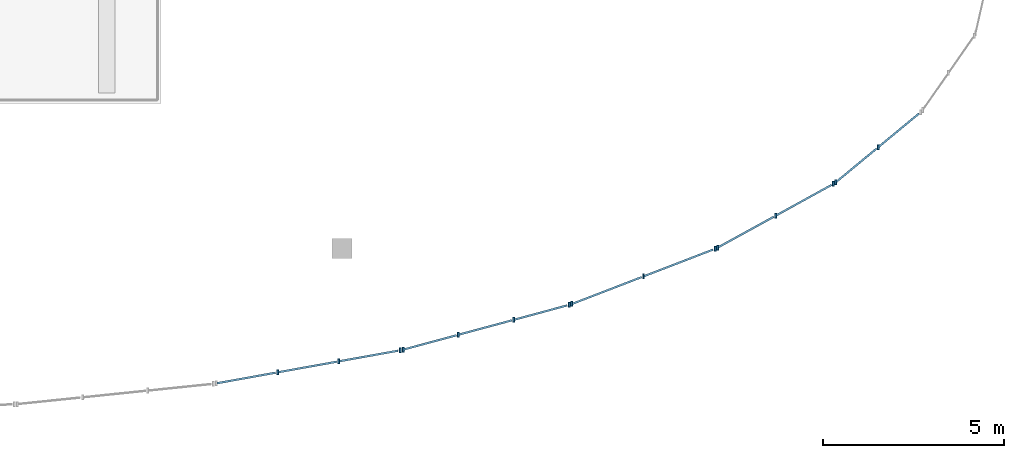
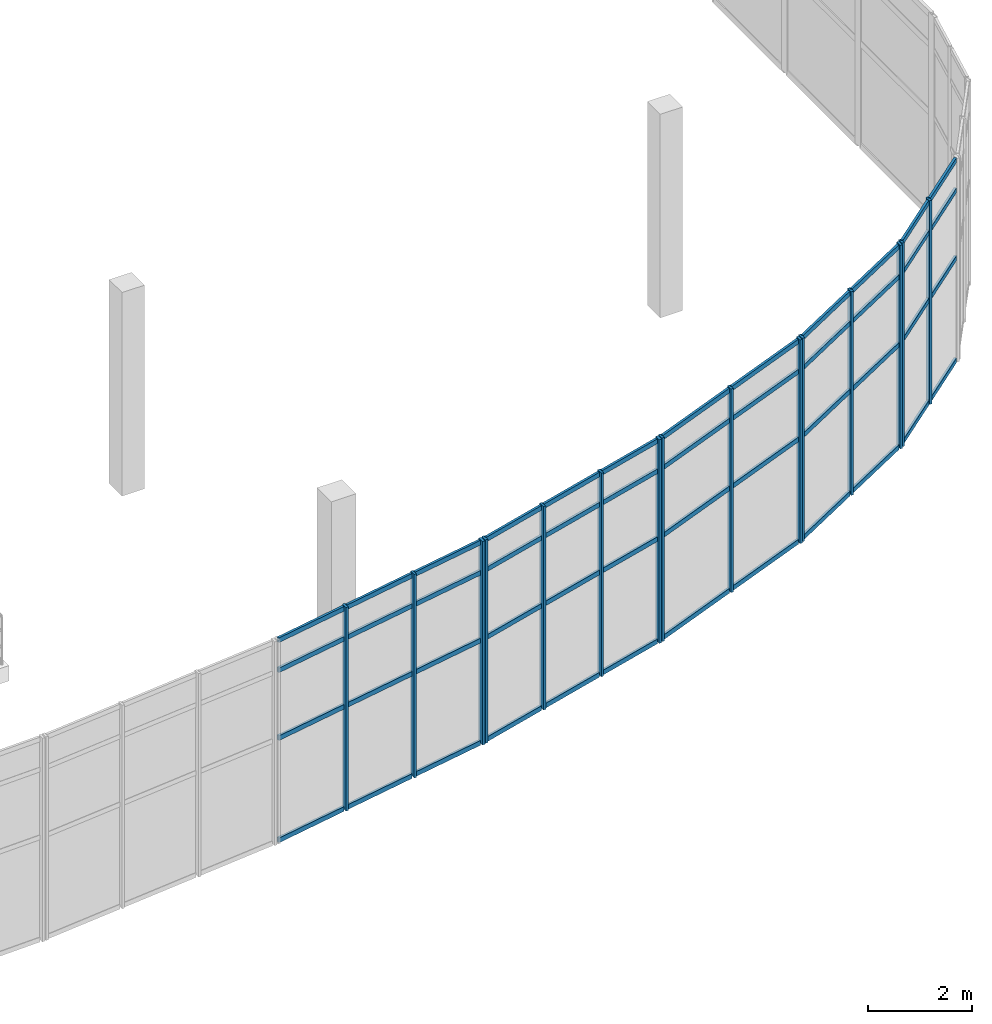
# One storey, part 23 of 52: 63 members, 5 elements without a shape of their own.
"""IFC4 building model written with IfcOpenShell, lengths in metres."""

from ifc_helpers import new_model, si_unit, direction, frame, origin, origin_2d, place, context, subcontext, project, spatial, rectangle, extrude, material, material_profile, profile_set, type_object, element, aggregate, save


model = new_model("IFC4")

# Units and contexts
model_context = context("Model", 3, precision=1e-05, world=origin(), true_north=direction((0.0, 1.0)))
body_context = subcontext(model_context, "Body", "Model", "MODEL_VIEW")
ifc_project = project(units=[si_unit("LENGTHUNIT", "METRE"), si_unit("AREAUNIT", "SQUARE_METRE"), si_unit("VOLUMEUNIT", "CUBIC_METRE"), si_unit("PLANEANGLEUNIT", "RADIAN"), si_unit("MASSUNIT", "GRAM", prefix="KILO"), si_unit("THERMODYNAMICTEMPERATUREUNIT", "KELVIN"), si_unit("POWERUNIT", "WATT")], contexts=[model_context])

# Site, building, storey
site_placement = place(None, origin())
site = spatial("IfcSite", under=ifc_project, at=site_placement, CompositionType="ELEMENT")
building_placement = place(site_placement, origin())
building = spatial("IfcBuilding", under=site, at=building_placement, Name="Solmara Park Aquatics Centre", CompositionType="ELEMENT")
storey_placement = place(building_placement, frame((0.0, 0.0, 9.60009765625)))
storey = spatial("IfcBuildingStorey", under=building, at=storey_placement, Name="L02", CompositionType="ELEMENT", Elevation=9.60009765625)

# Curtain wall, members
ifc_material_1 = material(Name="Anodised Aluminium Curtain Wall Framing", Category="aluminium")
curtain_wall_type = type_object("IfcCurtainWallType", Name="ARC-CW-SYS03", PredefinedType="USERDEFINED", material=ifc_material_1)
curtain_wall_1_placement = place(storey_placement, origin())
curtain_wall_1 = element("IfcCurtainWall", 1, at=curtain_wall_1_placement, inside=storey, type_object=curtain_wall_type, Name="Curtain Wall CW-054", ObjectType="CURTAIN WALL", PredefinedType="USERDEFINED")
ifc_material_2 = material(Name="Anodised Aluminium Alloy 6063-T6", Category="aluminium")
ifc_material_profile_1 = material_profile(ifc_material_2, rectangle(XDim=0.054931640625, YDim=0.139892578125, at=origin_2d()), Name="ALU MULLION 55x140")
ifc_profile_set_1 = profile_set([ifc_material_profile_1], Name="Anodised Aluminium Alloy 6063-T6")
member_type_1 = type_object("IfcMemberType", Name="ARC-CWM-55x140", PredefinedType="MULLION", material=ifc_profile_set_1)
member_1_placement = place(storey_placement, frame((142.21923828125, 1.07177734375, 0.0), z_axis=(0.0, 0.0, 1.0), x_axis=(1.0, 0.0, 0.0)))
member_1 = element("IfcMember", 2, at=member_1_placement, type_object=member_type_1, Name="CW-054 mullion 2", PredefinedType="MULLION", context=body_context, shape_type="SweptSolid", body=[
    extrude(rectangle(XDim=0.054931640625, YDim=0.139892578125, at=origin_2d()), origin(), (0.0, 0.0, 1.0), 4.7998046875),
])
member_2_placement = place(storey_placement, frame((143.914794921875, 1.376220703125, 0.0), z_axis=(0.0, 0.0, 1.0), x_axis=(1.0, 0.0, 0.0)))
member_2 = element("IfcMember", 3, at=member_2_placement, type_object=member_type_1, Name="CW-054 mullion 3", PredefinedType="MULLION", context=body_context, shape_type="SweptSolid", body=[
    extrude(rectangle(XDim=0.054931640625, YDim=0.139892578125, at=origin_2d()), origin(), (0.0, 0.0, 1.0), 4.7998046875),
])
member_3_placement = place(storey_placement, frame((145.610595703125, 1.680908203125, 0.0), z_axis=(0.0, 0.0, 1.0), x_axis=(1.0, 0.0, 0.0)))
member_3 = element("IfcMember", 4, at=member_3_placement, type_object=member_type_1, Name="CW-054 mullion 4", PredefinedType="MULLION", context=body_context, shape_type="SweptSolid", body=[
    extrude(rectangle(XDim=0.054931640625, YDim=0.139892578125, at=origin_2d()), origin(), (0.0, 0.0, 1.0), 4.7998046875),
])

curtain_wall_2_placement = place(storey_placement, origin())
curtain_wall_2 = element("IfcCurtainWall", 5, at=curtain_wall_2_placement, inside=storey, type_object=curtain_wall_type, Name="Curtain Wall CW-057", ObjectType="CURTAIN WALL", PredefinedType="USERDEFINED")
member_4_placement = place(storey_placement, frame((145.688720703125, 1.698486328125, 0.0), z_axis=(0.0, 0.0, 1.0), x_axis=(1.0, 0.0, 0.0)))
member_4 = element("IfcMember", 6, at=member_4_placement, type_object=member_type_1, Name="CW-057 mullion 1", PredefinedType="MULLION", context=body_context, shape_type="SweptSolid", body=[
    extrude(rectangle(XDim=0.054931640625, YDim=0.139892578125, at=origin_2d()), origin(), (0.0, 0.0, 1.0), 4.7998046875),
])
member_5_placement = place(storey_placement, frame((147.21923828125, 2.111572265625, 0.0), z_axis=(0.0, 0.0, 1.0), x_axis=(1.0, 0.0, 0.0)))
member_5 = element("IfcMember", 7, at=member_5_placement, type_object=member_type_1, Name="CW-057 mullion 2", PredefinedType="MULLION", context=body_context, shape_type="SweptSolid", body=[
    extrude(rectangle(XDim=0.054931640625, YDim=0.139892578125, at=origin_2d()), origin(), (0.0, 0.0, 1.0), 4.7998046875),
])
member_6_placement = place(storey_placement, frame((148.75, 2.5244140625, 0.0), z_axis=(0.0, 0.0, 1.0), x_axis=(1.0, 0.0, 0.0)))
member_6 = element("IfcMember", 8, at=member_6_placement, type_object=member_type_1, Name="CW-057 mullion 3", PredefinedType="MULLION", context=body_context, shape_type="SweptSolid", body=[
    extrude(rectangle(XDim=0.054931640625, YDim=0.139892578125, at=origin_2d()), origin(), (0.0, 0.0, 1.0), 4.7998046875),
])
member_7_placement = place(storey_placement, frame((150.280517578125, 2.9375, 0.0), z_axis=(0.0, 0.0, 1.0), x_axis=(1.0, 0.0, 0.0)))
member_7 = element("IfcMember", 9, at=member_7_placement, type_object=member_type_1, Name="CW-057 mullion 4", PredefinedType="MULLION", context=body_context, shape_type="SweptSolid", body=[
    extrude(rectangle(XDim=0.054931640625, YDim=0.139892578125, at=origin_2d()), origin(), (0.0, 0.0, 1.0), 4.7998046875),
])

curtain_wall_3_placement = place(storey_placement, origin())
curtain_wall_3 = element("IfcCurtainWall", 10, at=curtain_wall_3_placement, inside=storey, type_object=curtain_wall_type, Name="Curtain Wall CW-060", ObjectType="CURTAIN WALL", PredefinedType="USERDEFINED")
member_8_placement = place(storey_placement, frame((150.3564453125, 2.962158203125, 0.0), z_axis=(0.0, 0.0, 1.0), x_axis=(1.0, 0.0, 0.0)))
member_8 = element("IfcMember", 11, at=member_8_placement, type_object=member_type_1, Name="CW-060 mullion 1", PredefinedType="MULLION", context=body_context, shape_type="SweptSolid", body=[
    extrude(rectangle(XDim=0.054931640625, YDim=0.139892578125, at=origin_2d()), origin(), (0.0, 0.0, 1.0), 4.7998046875),
])
member_9_placement = place(storey_placement, frame((152.33447265625, 3.724365234375, 0.0), z_axis=(0.0, 0.0, 1.0), x_axis=(1.0, 0.0, 0.0)))
member_9 = element("IfcMember", 12, at=member_9_placement, type_object=member_type_1, Name="CW-060 mullion 2", PredefinedType="MULLION", context=body_context, shape_type="SweptSolid", body=[
    extrude(rectangle(XDim=0.054931640625, YDim=0.139892578125, at=origin_2d()), origin(), (0.0, 0.0, 1.0), 4.7998046875),
])
member_10_placement = place(storey_placement, frame((154.3125, 4.486572265625, 0.0), z_axis=(0.0, 0.0, 1.0), x_axis=(1.0, 0.0, 0.0)))
member_10 = element("IfcMember", 13, at=member_10_placement, type_object=member_type_1, Name="CW-060 mullion 3", PredefinedType="MULLION", context=body_context, shape_type="SweptSolid", body=[
    extrude(rectangle(XDim=0.054931640625, YDim=0.139892578125, at=origin_2d()), origin(), (0.0, 0.0, 1.0), 4.7998046875),
])

curtain_wall_4_placement = place(storey_placement, origin())
curtain_wall_4 = element("IfcCurtainWall", 14, at=curtain_wall_4_placement, inside=storey, type_object=curtain_wall_type, Name="Curtain Wall CW-063", ObjectType="CURTAIN WALL", PredefinedType="USERDEFINED")
member_11_placement = place(storey_placement, frame((154.384765625, 4.520263671875, 0.0), z_axis=(0.0, 0.0, 1.0), x_axis=(1.0, 0.0, 0.0)))
member_11 = element("IfcMember", 15, at=member_11_placement, type_object=member_type_1, Name="CW-063 mullion 1", PredefinedType="MULLION", context=body_context, shape_type="SweptSolid", body=[
    extrude(rectangle(XDim=0.054931640625, YDim=0.139892578125, at=origin_2d()), origin(), (0.0, 0.0, 1.0), 4.7998046875),
])
member_12_placement = place(storey_placement, frame((155.984375, 5.400390625, 0.0), z_axis=(0.0, 0.0, 1.0), x_axis=(1.0, 0.0, 0.0)))
member_12 = element("IfcMember", 16, at=member_12_placement, type_object=member_type_1, Name="CW-063 mullion 2", PredefinedType="MULLION", context=body_context, shape_type="SweptSolid", body=[
    extrude(rectangle(XDim=0.054931640625, YDim=0.139892578125, at=origin_2d()), origin(), (0.0, 0.0, 1.0), 4.7998046875),
])
member_13_placement = place(storey_placement, frame((157.583984375, 6.28076171875, 0.0), z_axis=(0.0, 0.0, 1.0), x_axis=(1.0, 0.0, 0.0)))
member_13 = element("IfcMember", 17, at=member_13_placement, type_object=member_type_1, Name="CW-063 mullion 3", PredefinedType="MULLION", context=body_context, shape_type="SweptSolid", body=[
    extrude(rectangle(XDim=0.054931640625, YDim=0.139892578125, at=origin_2d()), origin(), (0.0, 0.0, 1.0), 4.7998046875),
])

curtain_wall_5_placement = place(storey_placement, origin())
curtain_wall_5 = element("IfcCurtainWall", 18, at=curtain_wall_5_placement, inside=storey, type_object=curtain_wall_type, Name="Curtain Wall CW-066", ObjectType="CURTAIN WALL", PredefinedType="USERDEFINED")
member_14_placement = place(storey_placement, frame((157.64990234375, 6.325439453125, 0.0), z_axis=(0.0, 0.0, 1.0), x_axis=(1.0, 0.0, 0.0)))
member_14 = element("IfcMember", 19, at=member_14_placement, type_object=member_type_1, Name="CW-066 mullion 1", PredefinedType="MULLION", context=body_context, shape_type="SweptSolid", body=[
    extrude(rectangle(XDim=0.054931640625, YDim=0.139892578125, at=origin_2d()), origin(), (0.0, 0.0, 1.0), 4.7998046875),
])
member_15_placement = place(storey_placement, frame((158.823486328125, 7.29541015625, 0.0), z_axis=(0.0, 0.0, 1.0), x_axis=(1.0, 0.0, 0.0)))
member_15 = element("IfcMember", 20, at=member_15_placement, type_object=member_type_1, Name="CW-066 mullion 2", PredefinedType="MULLION", context=body_context, shape_type="SweptSolid", body=[
    extrude(rectangle(XDim=0.054931640625, YDim=0.139892578125, at=origin_2d()), origin(), (0.0, 0.0, 1.0), 4.7998046875),
])

# Member
ifc_material_profile_2 = material_profile(ifc_material_2, rectangle(XDim=0.054931640625, YDim=0.110107421875, at=origin_2d()), Name="ALU TRANSOM 55x110")
ifc_profile_set_2 = profile_set([ifc_material_profile_2], Name="Anodised Aluminium Alloy 6063-T6")
member_type_2 = type_object("IfcMemberType", Name="ARC-CWT-55x110", PredefinedType="USERDEFINED", material=ifc_profile_set_2)
member_16_placement = place(storey_placement, frame((140.543212890625, 0.7705078125, 0.039794921875), z_axis=(0.984238723522, 0.176844946549, 0.0), x_axis=(-0.176844946549, 0.984238723522, 0.0)))
member_16 = element("IfcMember", 21, at=member_16_placement, type_object=member_type_2, Name="CW-054 transom 1", ObjectType="TRANSOM", PredefinedType="USERDEFINED", context=body_context, shape_type="SweptSolid", body=[
    extrude(rectangle(XDim=0.054931640625, YDim=0.110107421875, at=origin_2d()), origin(), (0.0, 0.0, 1.0), 1.642822265625),
])

member_17_placement = place(storey_placement, frame((140.543212890625, 0.7705078125, 2.449951171875), z_axis=(0.984238723522, 0.176844946549, 0.0), x_axis=(-0.176844946549, 0.984238723522, 0.0)))
member_17 = element("IfcMember", 22, at=member_17_placement, type_object=member_type_2, Name="CW-054 transom 2", ObjectType="TRANSOM", PredefinedType="USERDEFINED", context=body_context, shape_type="SweptSolid", body=[
    extrude(rectangle(XDim=0.054931640625, YDim=0.110107421875, at=origin_2d()), origin(), (0.0, 0.0, 1.0), 1.642822265625),
])

member_18_placement = place(storey_placement, frame((140.543212890625, 0.7705078125, 4.0498046875), z_axis=(0.984238723522, 0.176844946549, 0.0), x_axis=(-0.176844946549, 0.984238723522, 0.0)))
member_18 = element("IfcMember", 23, at=member_18_placement, type_object=member_type_2, Name="CW-054 transom 3", ObjectType="TRANSOM", PredefinedType="USERDEFINED", context=body_context, shape_type="SweptSolid", body=[
    extrude(rectangle(XDim=0.054931640625, YDim=0.110107421875, at=origin_2d()), origin(), (0.0, 0.0, 1.0), 1.642822265625),
])

member_19_placement = place(storey_placement, frame((140.543212890625, 0.7705078125, 4.760009765625), z_axis=(0.984238723522, 0.176844946549, 0.0), x_axis=(-0.176844946549, 0.984238723522, 0.0)))
member_19 = element("IfcMember", 24, at=member_19_placement, type_object=member_type_2, Name="CW-054 transom 4", ObjectType="TRANSOM", PredefinedType="USERDEFINED", context=body_context, shape_type="SweptSolid", body=[
    extrude(rectangle(XDim=0.054931640625, YDim=0.110107421875, at=origin_2d()), origin(), (0.0, 0.0, 1.0), 1.642822265625),
])

member_20_placement = place(storey_placement, frame((142.239013671875, 1.0751953125, 0.039794921875), z_axis=(0.984238723522, 0.176844946549, 0.0), x_axis=(-0.176844946549, 0.984238723522, 0.0)))
member_20 = element("IfcMember", 25, at=member_20_placement, type_object=member_type_2, Name="CW-054 transom 5", ObjectType="TRANSOM", PredefinedType="USERDEFINED", context=body_context, shape_type="SweptSolid", body=[
    extrude(rectangle(XDim=0.054931640625, YDim=0.110107421875, at=origin_2d()), origin(), (0.0, 0.0, 1.0), 1.642822265625),
])

member_21_placement = place(storey_placement, frame((142.239013671875, 1.0751953125, 2.449951171875), z_axis=(0.984238723522, 0.176844946549, 0.0), x_axis=(-0.176844946549, 0.984238723522, 0.0)))
member_21 = element("IfcMember", 26, at=member_21_placement, type_object=member_type_2, Name="CW-054 transom 6", ObjectType="TRANSOM", PredefinedType="USERDEFINED", context=body_context, shape_type="SweptSolid", body=[
    extrude(rectangle(XDim=0.054931640625, YDim=0.110107421875, at=origin_2d()), origin(), (0.0, 0.0, 1.0), 1.642822265625),
])

member_22_placement = place(storey_placement, frame((142.239013671875, 1.0751953125, 4.0498046875), z_axis=(0.984238723522, 0.176844946549, 0.0), x_axis=(-0.176844946549, 0.984238723522, 0.0)))
member_22 = element("IfcMember", 27, at=member_22_placement, type_object=member_type_2, Name="CW-054 transom 7", ObjectType="TRANSOM", PredefinedType="USERDEFINED", context=body_context, shape_type="SweptSolid", body=[
    extrude(rectangle(XDim=0.054931640625, YDim=0.110107421875, at=origin_2d()), origin(), (0.0, 0.0, 1.0), 1.642822265625),
])

member_23_placement = place(storey_placement, frame((142.239013671875, 1.0751953125, 4.760009765625), z_axis=(0.984238723522, 0.176844946549, 0.0), x_axis=(-0.176844946549, 0.984238723522, 0.0)))
member_23 = element("IfcMember", 28, at=member_23_placement, type_object=member_type_2, Name="CW-054 transom 8", ObjectType="TRANSOM", PredefinedType="USERDEFINED", context=body_context, shape_type="SweptSolid", body=[
    extrude(rectangle(XDim=0.054931640625, YDim=0.110107421875, at=origin_2d()), origin(), (0.0, 0.0, 1.0), 1.642822265625),
])

member_24_placement = place(storey_placement, frame((143.9345703125, 1.3798828125, 0.039794921875), z_axis=(0.984238723522, 0.176844946549, 0.0), x_axis=(-0.176844946549, 0.984238723522, 0.0)))
member_24 = element("IfcMember", 29, at=member_24_placement, type_object=member_type_2, Name="CW-054 transom 9", ObjectType="TRANSOM", PredefinedType="USERDEFINED", context=body_context, shape_type="SweptSolid", body=[
    extrude(rectangle(XDim=0.054931640625, YDim=0.110107421875, at=origin_2d()), origin(), (0.0, 0.0, 1.0), 1.642822265625),
])

member_25_placement = place(storey_placement, frame((143.9345703125, 1.3798828125, 2.449951171875), z_axis=(0.984238723522, 0.176844946549, 0.0), x_axis=(-0.176844946549, 0.984238723522, 0.0)))
member_25 = element("IfcMember", 30, at=member_25_placement, type_object=member_type_2, Name="CW-054 transom 10", ObjectType="TRANSOM", PredefinedType="USERDEFINED", context=body_context, shape_type="SweptSolid", body=[
    extrude(rectangle(XDim=0.054931640625, YDim=0.110107421875, at=origin_2d()), origin(), (0.0, 0.0, 1.0), 1.642822265625),
])

member_26_placement = place(storey_placement, frame((143.9345703125, 1.3798828125, 4.0498046875), z_axis=(0.984238723522, 0.176844946549, 0.0), x_axis=(-0.176844946549, 0.984238723522, 0.0)))
member_26 = element("IfcMember", 31, at=member_26_placement, type_object=member_type_2, Name="CW-054 transom 11", ObjectType="TRANSOM", PredefinedType="USERDEFINED", context=body_context, shape_type="SweptSolid", body=[
    extrude(rectangle(XDim=0.054931640625, YDim=0.110107421875, at=origin_2d()), origin(), (0.0, 0.0, 1.0), 1.642822265625),
])

member_27_placement = place(storey_placement, frame((143.9345703125, 1.3798828125, 4.760009765625), z_axis=(0.984238723522, 0.176844946549, 0.0), x_axis=(-0.176844946549, 0.984238723522, 0.0)))
member_27 = element("IfcMember", 32, at=member_27_placement, type_object=member_type_2, Name="CW-054 transom 12", ObjectType="TRANSOM", PredefinedType="USERDEFINED", context=body_context, shape_type="SweptSolid", body=[
    extrude(rectangle(XDim=0.054931640625, YDim=0.110107421875, at=origin_2d()), origin(), (0.0, 0.0, 1.0), 1.642822265625),
])

aggregate(curtain_wall_1, [member_1, member_2, member_3, member_16, member_17, member_18, member_19, member_20, member_21, member_22, member_23, member_24, member_25, member_26, member_27])

member_28_placement = place(storey_placement, frame((145.7080078125, 1.70361328125, 0.039794921875), z_axis=(0.965482529069, 0.26046782155, 0.0), x_axis=(-0.26046782155, 0.965482529069, 0.0)))
member_28 = element("IfcMember", 33, at=member_28_placement, type_object=member_type_2, Name="CW-057 transom 1", ObjectType="TRANSOM", PredefinedType="USERDEFINED", context=body_context, shape_type="SweptSolid", body=[
    extrude(rectangle(XDim=0.054931640625, YDim=0.110107421875, at=origin_2d()), origin(), (0.0, 0.0, 1.0), 1.50537109375),
])

member_29_placement = place(storey_placement, frame((145.7080078125, 1.70361328125, 2.449951171875), z_axis=(0.965482529069, 0.26046782155, 0.0), x_axis=(-0.26046782155, 0.965482529069, 0.0)))
member_29 = element("IfcMember", 34, at=member_29_placement, type_object=member_type_2, Name="CW-057 transom 2", ObjectType="TRANSOM", PredefinedType="USERDEFINED", context=body_context, shape_type="SweptSolid", body=[
    extrude(rectangle(XDim=0.054931640625, YDim=0.110107421875, at=origin_2d()), origin(), (0.0, 0.0, 1.0), 1.50537109375),
])

member_30_placement = place(storey_placement, frame((145.7080078125, 1.70361328125, 4.0498046875), z_axis=(0.965482529069, 0.26046782155, 0.0), x_axis=(-0.26046782155, 0.965482529069, 0.0)))
member_30 = element("IfcMember", 35, at=member_30_placement, type_object=member_type_2, Name="CW-057 transom 3", ObjectType="TRANSOM", PredefinedType="USERDEFINED", context=body_context, shape_type="SweptSolid", body=[
    extrude(rectangle(XDim=0.054931640625, YDim=0.110107421875, at=origin_2d()), origin(), (0.0, 0.0, 1.0), 1.50537109375),
])

member_31_placement = place(storey_placement, frame((145.7080078125, 1.70361328125, 4.760009765625), z_axis=(0.965482529069, 0.26046782155, 0.0), x_axis=(-0.26046782155, 0.965482529069, 0.0)))
member_31 = element("IfcMember", 36, at=member_31_placement, type_object=member_type_2, Name="CW-057 transom 4", ObjectType="TRANSOM", PredefinedType="USERDEFINED", context=body_context, shape_type="SweptSolid", body=[
    extrude(rectangle(XDim=0.054931640625, YDim=0.110107421875, at=origin_2d()), origin(), (0.0, 0.0, 1.0), 1.50537109375),
])

member_32_placement = place(storey_placement, frame((147.238525390625, 2.11669921875, 0.039794921875), z_axis=(0.965482529069, 0.26046782155, 0.0), x_axis=(-0.26046782155, 0.965482529069, 0.0)))
member_32 = element("IfcMember", 37, at=member_32_placement, type_object=member_type_2, Name="CW-057 transom 5", ObjectType="TRANSOM", PredefinedType="USERDEFINED", context=body_context, shape_type="SweptSolid", body=[
    extrude(rectangle(XDim=0.054931640625, YDim=0.110107421875, at=origin_2d()), origin(), (0.0, 0.0, 1.0), 1.50537109375),
])

member_33_placement = place(storey_placement, frame((147.238525390625, 2.11669921875, 2.449951171875), z_axis=(0.965482529069, 0.26046782155, 0.0), x_axis=(-0.26046782155, 0.965482529069, 0.0)))
member_33 = element("IfcMember", 38, at=member_33_placement, type_object=member_type_2, Name="CW-057 transom 6", ObjectType="TRANSOM", PredefinedType="USERDEFINED", context=body_context, shape_type="SweptSolid", body=[
    extrude(rectangle(XDim=0.054931640625, YDim=0.110107421875, at=origin_2d()), origin(), (0.0, 0.0, 1.0), 1.50537109375),
])

member_34_placement = place(storey_placement, frame((147.238525390625, 2.11669921875, 4.0498046875), z_axis=(0.965482529069, 0.26046782155, 0.0), x_axis=(-0.26046782155, 0.965482529069, 0.0)))
member_34 = element("IfcMember", 39, at=member_34_placement, type_object=member_type_2, Name="CW-057 transom 7", ObjectType="TRANSOM", PredefinedType="USERDEFINED", context=body_context, shape_type="SweptSolid", body=[
    extrude(rectangle(XDim=0.054931640625, YDim=0.110107421875, at=origin_2d()), origin(), (0.0, 0.0, 1.0), 1.50537109375),
])

member_35_placement = place(storey_placement, frame((147.238525390625, 2.11669921875, 4.760009765625), z_axis=(0.965482529069, 0.26046782155, 0.0), x_axis=(-0.26046782155, 0.965482529069, 0.0)))
member_35 = element("IfcMember", 40, at=member_35_placement, type_object=member_type_2, Name="CW-057 transom 8", ObjectType="TRANSOM", PredefinedType="USERDEFINED", context=body_context, shape_type="SweptSolid", body=[
    extrude(rectangle(XDim=0.054931640625, YDim=0.110107421875, at=origin_2d()), origin(), (0.0, 0.0, 1.0), 1.50537109375),
])

member_36_placement = place(storey_placement, frame((148.769287109375, 2.529541015625, 0.039794921875), z_axis=(0.96544173334, 0.260618993025, 0.0), x_axis=(-0.260618993025, 0.96544173334, 0.0)))
member_36 = element("IfcMember", 41, at=member_36_placement, type_object=member_type_2, Name="CW-057 transom 9", ObjectType="TRANSOM", PredefinedType="USERDEFINED", context=body_context, shape_type="SweptSolid", body=[
    extrude(rectangle(XDim=0.054931640625, YDim=0.110107421875, at=origin_2d()), origin(), (0.0, 0.0, 1.0), 1.50537109375),
])

member_37_placement = place(storey_placement, frame((148.769287109375, 2.529541015625, 2.449951171875), z_axis=(0.96544173334, 0.260618993025, 0.0), x_axis=(-0.260618993025, 0.96544173334, 0.0)))
member_37 = element("IfcMember", 42, at=member_37_placement, type_object=member_type_2, Name="CW-057 transom 10", ObjectType="TRANSOM", PredefinedType="USERDEFINED", context=body_context, shape_type="SweptSolid", body=[
    extrude(rectangle(XDim=0.054931640625, YDim=0.110107421875, at=origin_2d()), origin(), (0.0, 0.0, 1.0), 1.50537109375),
])

member_38_placement = place(storey_placement, frame((148.769287109375, 2.529541015625, 4.0498046875), z_axis=(0.96544173334, 0.260618993025, 0.0), x_axis=(-0.260618993025, 0.96544173334, 0.0)))
member_38 = element("IfcMember", 43, at=member_38_placement, type_object=member_type_2, Name="CW-057 transom 11", ObjectType="TRANSOM", PredefinedType="USERDEFINED", context=body_context, shape_type="SweptSolid", body=[
    extrude(rectangle(XDim=0.054931640625, YDim=0.110107421875, at=origin_2d()), origin(), (0.0, 0.0, 1.0), 1.50537109375),
])

member_39_placement = place(storey_placement, frame((148.769287109375, 2.529541015625, 4.760009765625), z_axis=(0.96544173334, 0.260618993025, 0.0), x_axis=(-0.260618993025, 0.96544173334, 0.0)))
member_39 = element("IfcMember", 44, at=member_39_placement, type_object=member_type_2, Name="CW-057 transom 12", ObjectType="TRANSOM", PredefinedType="USERDEFINED", context=body_context, shape_type="SweptSolid", body=[
    extrude(rectangle(XDim=0.054931640625, YDim=0.110107421875, at=origin_2d()), origin(), (0.0, 0.0, 1.0), 1.50537109375),
])

aggregate(curtain_wall_2, [member_4, member_5, member_6, member_7, member_28, member_29, member_30, member_31, member_32, member_33, member_34, member_35, member_36, member_37, member_38, member_39])

member_40_placement = place(storey_placement, frame((150.375244140625, 2.969482421875, 0.039794921875), z_axis=(0.933123317616, 0.359556496424, 0.0), x_axis=(-0.359556496424, 0.933123317616, 0.0)))
member_40 = element("IfcMember", 45, at=member_40_placement, type_object=member_type_2, Name="CW-060 transom 1", ObjectType="TRANSOM", PredefinedType="USERDEFINED", context=body_context, shape_type="SweptSolid", body=[
    extrude(rectangle(XDim=0.054931640625, YDim=0.110107421875, at=origin_2d()), origin(), (0.0, 0.0, 1.0), 2.039794921875),
])

member_41_placement = place(storey_placement, frame((150.375244140625, 2.969482421875, 2.449951171875), z_axis=(0.933123317616, 0.359556496424, 0.0), x_axis=(-0.359556496424, 0.933123317616, 0.0)))
member_41 = element("IfcMember", 46, at=member_41_placement, type_object=member_type_2, Name="CW-060 transom 2", ObjectType="TRANSOM", PredefinedType="USERDEFINED", context=body_context, shape_type="SweptSolid", body=[
    extrude(rectangle(XDim=0.054931640625, YDim=0.110107421875, at=origin_2d()), origin(), (0.0, 0.0, 1.0), 2.039794921875),
])

member_42_placement = place(storey_placement, frame((150.375244140625, 2.969482421875, 4.0498046875), z_axis=(0.933123317616, 0.359556496424, 0.0), x_axis=(-0.359556496424, 0.933123317616, 0.0)))
member_42 = element("IfcMember", 47, at=member_42_placement, type_object=member_type_2, Name="CW-060 transom 3", ObjectType="TRANSOM", PredefinedType="USERDEFINED", context=body_context, shape_type="SweptSolid", body=[
    extrude(rectangle(XDim=0.054931640625, YDim=0.110107421875, at=origin_2d()), origin(), (0.0, 0.0, 1.0), 2.039794921875),
])

member_43_placement = place(storey_placement, frame((150.375244140625, 2.969482421875, 4.760009765625), z_axis=(0.933123317616, 0.359556496424, 0.0), x_axis=(-0.359556496424, 0.933123317616, 0.0)))
member_43 = element("IfcMember", 48, at=member_43_placement, type_object=member_type_2, Name="CW-060 transom 4", ObjectType="TRANSOM", PredefinedType="USERDEFINED", context=body_context, shape_type="SweptSolid", body=[
    extrude(rectangle(XDim=0.054931640625, YDim=0.110107421875, at=origin_2d()), origin(), (0.0, 0.0, 1.0), 2.039794921875),
])

member_44_placement = place(storey_placement, frame((152.35302734375, 3.7314453125, 0.039794921875), z_axis=(0.933123317616, 0.359556496424, 0.0), x_axis=(-0.359556496424, 0.933123317616, 0.0)))
member_44 = element("IfcMember", 49, at=member_44_placement, type_object=member_type_2, Name="CW-060 transom 5", ObjectType="TRANSOM", PredefinedType="USERDEFINED", context=body_context, shape_type="SweptSolid", body=[
    extrude(rectangle(XDim=0.054931640625, YDim=0.110107421875, at=origin_2d()), origin(), (0.0, 0.0, 1.0), 2.039794921875),
])

member_45_placement = place(storey_placement, frame((152.35302734375, 3.7314453125, 2.449951171875), z_axis=(0.933123317616, 0.359556496424, 0.0), x_axis=(-0.359556496424, 0.933123317616, 0.0)))
member_45 = element("IfcMember", 50, at=member_45_placement, type_object=member_type_2, Name="CW-060 transom 6", ObjectType="TRANSOM", PredefinedType="USERDEFINED", context=body_context, shape_type="SweptSolid", body=[
    extrude(rectangle(XDim=0.054931640625, YDim=0.110107421875, at=origin_2d()), origin(), (0.0, 0.0, 1.0), 2.039794921875),
])

member_46_placement = place(storey_placement, frame((152.35302734375, 3.7314453125, 4.0498046875), z_axis=(0.933123317616, 0.359556496424, 0.0), x_axis=(-0.359556496424, 0.933123317616, 0.0)))
member_46 = element("IfcMember", 51, at=member_46_placement, type_object=member_type_2, Name="CW-060 transom 7", ObjectType="TRANSOM", PredefinedType="USERDEFINED", context=body_context, shape_type="SweptSolid", body=[
    extrude(rectangle(XDim=0.054931640625, YDim=0.110107421875, at=origin_2d()), origin(), (0.0, 0.0, 1.0), 2.039794921875),
])

member_47_placement = place(storey_placement, frame((152.35302734375, 3.7314453125, 4.760009765625), z_axis=(0.933123317616, 0.359556496424, 0.0), x_axis=(-0.359556496424, 0.933123317616, 0.0)))
member_47 = element("IfcMember", 52, at=member_47_placement, type_object=member_type_2, Name="CW-060 transom 8", ObjectType="TRANSOM", PredefinedType="USERDEFINED", context=body_context, shape_type="SweptSolid", body=[
    extrude(rectangle(XDim=0.054931640625, YDim=0.110107421875, at=origin_2d()), origin(), (0.0, 0.0, 1.0), 2.039794921875),
])

aggregate(curtain_wall_3, [member_8, member_9, member_10, member_40, member_41, member_42, member_43, member_44, member_45, member_46, member_47])

member_48_placement = place(storey_placement, frame((154.40234375, 4.52978515625, 0.039794921875), z_axis=(0.87608301617, 0.482160293656, 0.0), x_axis=(-0.482160293656, 0.87608301617, 0.0)))
member_48 = element("IfcMember", 53, at=member_48_placement, type_object=member_type_2, Name="CW-063 transom 1", ObjectType="TRANSOM", PredefinedType="USERDEFINED", context=body_context, shape_type="SweptSolid", body=[
    extrude(rectangle(XDim=0.054931640625, YDim=0.110107421875, at=origin_2d()), origin(), (0.0, 0.0, 1.0), 1.745849609375),
])

member_49_placement = place(storey_placement, frame((154.40234375, 4.52978515625, 2.449951171875), z_axis=(0.87608301617, 0.482160293656, 0.0), x_axis=(-0.482160293656, 0.87608301617, 0.0)))
member_49 = element("IfcMember", 54, at=member_49_placement, type_object=member_type_2, Name="CW-063 transom 2", ObjectType="TRANSOM", PredefinedType="USERDEFINED", context=body_context, shape_type="SweptSolid", body=[
    extrude(rectangle(XDim=0.054931640625, YDim=0.110107421875, at=origin_2d()), origin(), (0.0, 0.0, 1.0), 1.745849609375),
])

member_50_placement = place(storey_placement, frame((154.40234375, 4.52978515625, 4.0498046875), z_axis=(0.87608301617, 0.482160293656, 0.0), x_axis=(-0.482160293656, 0.87608301617, 0.0)))
member_50 = element("IfcMember", 55, at=member_50_placement, type_object=member_type_2, Name="CW-063 transom 3", ObjectType="TRANSOM", PredefinedType="USERDEFINED", context=body_context, shape_type="SweptSolid", body=[
    extrude(rectangle(XDim=0.054931640625, YDim=0.110107421875, at=origin_2d()), origin(), (0.0, 0.0, 1.0), 1.745849609375),
])

member_51_placement = place(storey_placement, frame((154.40234375, 4.52978515625, 4.760009765625), z_axis=(0.87608301617, 0.482160293656, 0.0), x_axis=(-0.482160293656, 0.87608301617, 0.0)))
member_51 = element("IfcMember", 56, at=member_51_placement, type_object=member_type_2, Name="CW-063 transom 4", ObjectType="TRANSOM", PredefinedType="USERDEFINED", context=body_context, shape_type="SweptSolid", body=[
    extrude(rectangle(XDim=0.054931640625, YDim=0.110107421875, at=origin_2d()), origin(), (0.0, 0.0, 1.0), 1.745849609375),
])

member_52_placement = place(storey_placement, frame((156.001953125, 5.41015625, 0.039794921875), z_axis=(0.87614208275, 0.482052954388, 0.0), x_axis=(-0.482052954388, 0.87614208275, 0.0)))
member_52 = element("IfcMember", 57, at=member_52_placement, type_object=member_type_2, Name="CW-063 transom 5", ObjectType="TRANSOM", PredefinedType="USERDEFINED", context=body_context, shape_type="SweptSolid", body=[
    extrude(rectangle(XDim=0.054931640625, YDim=0.110107421875, at=origin_2d()), origin(), (0.0, 0.0, 1.0), 1.745849609375),
])

member_53_placement = place(storey_placement, frame((156.001953125, 5.41015625, 2.449951171875), z_axis=(0.87614208275, 0.482052954388, 0.0), x_axis=(-0.482052954388, 0.87614208275, 0.0)))
member_53 = element("IfcMember", 58, at=member_53_placement, type_object=member_type_2, Name="CW-063 transom 6", ObjectType="TRANSOM", PredefinedType="USERDEFINED", context=body_context, shape_type="SweptSolid", body=[
    extrude(rectangle(XDim=0.054931640625, YDim=0.110107421875, at=origin_2d()), origin(), (0.0, 0.0, 1.0), 1.745849609375),
])

member_54_placement = place(storey_placement, frame((156.001953125, 5.41015625, 4.0498046875), z_axis=(0.87614208275, 0.482052954388, 0.0), x_axis=(-0.482052954388, 0.87614208275, 0.0)))
member_54 = element("IfcMember", 59, at=member_54_placement, type_object=member_type_2, Name="CW-063 transom 7", ObjectType="TRANSOM", PredefinedType="USERDEFINED", context=body_context, shape_type="SweptSolid", body=[
    extrude(rectangle(XDim=0.054931640625, YDim=0.110107421875, at=origin_2d()), origin(), (0.0, 0.0, 1.0), 1.745849609375),
])

member_55_placement = place(storey_placement, frame((156.001953125, 5.41015625, 4.760009765625), z_axis=(0.87614208275, 0.482052954388, 0.0), x_axis=(-0.482052954388, 0.87614208275, 0.0)))
member_55 = element("IfcMember", 60, at=member_55_placement, type_object=member_type_2, Name="CW-063 transom 8", ObjectType="TRANSOM", PredefinedType="USERDEFINED", context=body_context, shape_type="SweptSolid", body=[
    extrude(rectangle(XDim=0.054931640625, YDim=0.110107421875, at=origin_2d()), origin(), (0.0, 0.0, 1.0), 1.745849609375),
])

aggregate(curtain_wall_4, [member_11, member_12, member_13, member_48, member_49, member_50, member_51, member_52, member_53, member_54, member_55])

member_56_placement = place(storey_placement, frame((157.665283203125, 6.338134765625, 0.039794921875), z_axis=(0.770795511381, 0.637082631717, 0.0), x_axis=(-0.637082631717, 0.770795511381, 0.0)))
member_56 = element("IfcMember", 61, at=member_56_placement, type_object=member_type_2, Name="CW-066 transom 1", ObjectType="TRANSOM", PredefinedType="USERDEFINED", context=body_context, shape_type="SweptSolid", body=[
    extrude(rectangle(XDim=0.054931640625, YDim=0.110107421875, at=origin_2d()), origin(), (0.0, 0.0, 1.0), 1.4423828125),
])

member_57_placement = place(storey_placement, frame((157.665283203125, 6.338134765625, 2.449951171875), z_axis=(0.770795511381, 0.637082631717, 0.0), x_axis=(-0.637082631717, 0.770795511381, 0.0)))
member_57 = element("IfcMember", 62, at=member_57_placement, type_object=member_type_2, Name="CW-066 transom 2", ObjectType="TRANSOM", PredefinedType="USERDEFINED", context=body_context, shape_type="SweptSolid", body=[
    extrude(rectangle(XDim=0.054931640625, YDim=0.110107421875, at=origin_2d()), origin(), (0.0, 0.0, 1.0), 1.4423828125),
])

member_58_placement = place(storey_placement, frame((157.665283203125, 6.338134765625, 4.0498046875), z_axis=(0.770795511381, 0.637082631717, 0.0), x_axis=(-0.637082631717, 0.770795511381, 0.0)))
member_58 = element("IfcMember", 63, at=member_58_placement, type_object=member_type_2, Name="CW-066 transom 3", ObjectType="TRANSOM", PredefinedType="USERDEFINED", context=body_context, shape_type="SweptSolid", body=[
    extrude(rectangle(XDim=0.054931640625, YDim=0.110107421875, at=origin_2d()), origin(), (0.0, 0.0, 1.0), 1.4423828125),
])

member_59_placement = place(storey_placement, frame((157.665283203125, 6.338134765625, 4.760009765625), z_axis=(0.770795511381, 0.637082631717, 0.0), x_axis=(-0.637082631717, 0.770795511381, 0.0)))
member_59 = element("IfcMember", 64, at=member_59_placement, type_object=member_type_2, Name="CW-066 transom 4", ObjectType="TRANSOM", PredefinedType="USERDEFINED", context=body_context, shape_type="SweptSolid", body=[
    extrude(rectangle(XDim=0.054931640625, YDim=0.110107421875, at=origin_2d()), origin(), (0.0, 0.0, 1.0), 1.4423828125),
])

member_60_placement = place(storey_placement, frame((158.8388671875, 7.30810546875, 0.039794921875), z_axis=(0.770878629105, 0.636982055626, 0.0), x_axis=(-0.636982055626, 0.770878629105, 0.0)))
member_60 = element("IfcMember", 65, at=member_60_placement, type_object=member_type_2, Name="CW-066 transom 5", ObjectType="TRANSOM", PredefinedType="USERDEFINED", context=body_context, shape_type="SweptSolid", body=[
    extrude(rectangle(XDim=0.054931640625, YDim=0.110107421875, at=origin_2d()), origin(), (0.0, 0.0, 1.0), 1.4423828125),
])

member_61_placement = place(storey_placement, frame((158.8388671875, 7.30810546875, 2.449951171875), z_axis=(0.770878629105, 0.636982055626, 0.0), x_axis=(-0.636982055626, 0.770878629105, 0.0)))
member_61 = element("IfcMember", 66, at=member_61_placement, type_object=member_type_2, Name="CW-066 transom 6", ObjectType="TRANSOM", PredefinedType="USERDEFINED", context=body_context, shape_type="SweptSolid", body=[
    extrude(rectangle(XDim=0.054931640625, YDim=0.110107421875, at=origin_2d()), origin(), (0.0, 0.0, 1.0), 1.4423828125),
])

member_62_placement = place(storey_placement, frame((158.8388671875, 7.30810546875, 4.0498046875), z_axis=(0.770878629105, 0.636982055626, 0.0), x_axis=(-0.636982055626, 0.770878629105, 0.0)))
member_62 = element("IfcMember", 67, at=member_62_placement, type_object=member_type_2, Name="CW-066 transom 7", ObjectType="TRANSOM", PredefinedType="USERDEFINED", context=body_context, shape_type="SweptSolid", body=[
    extrude(rectangle(XDim=0.054931640625, YDim=0.110107421875, at=origin_2d()), origin(), (0.0, 0.0, 1.0), 1.4423828125),
])

member_63_placement = place(storey_placement, frame((158.8388671875, 7.30810546875, 4.760009765625), z_axis=(0.770878629105, 0.636982055626, 0.0), x_axis=(-0.636982055626, 0.770878629105, 0.0)))
member_63 = element("IfcMember", 68, at=member_63_placement, type_object=member_type_2, Name="CW-066 transom 8", ObjectType="TRANSOM", PredefinedType="USERDEFINED", context=body_context, shape_type="SweptSolid", body=[
    extrude(rectangle(XDim=0.054931640625, YDim=0.110107421875, at=origin_2d()), origin(), (0.0, 0.0, 1.0), 1.4423828125),
])

aggregate(curtain_wall_5, [member_14, member_15, member_56, member_57, member_58, member_59, member_60, member_61, member_62, member_63])

save(model, "model.ifc")
